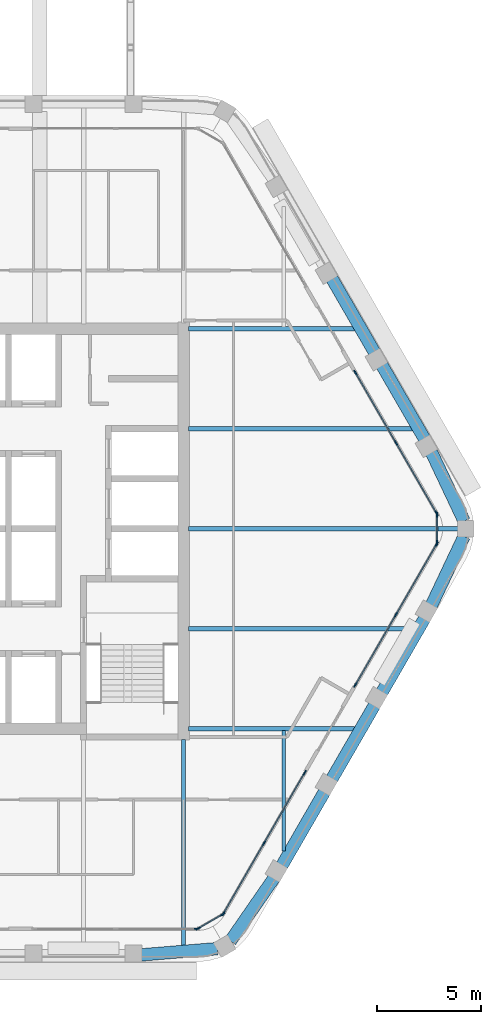
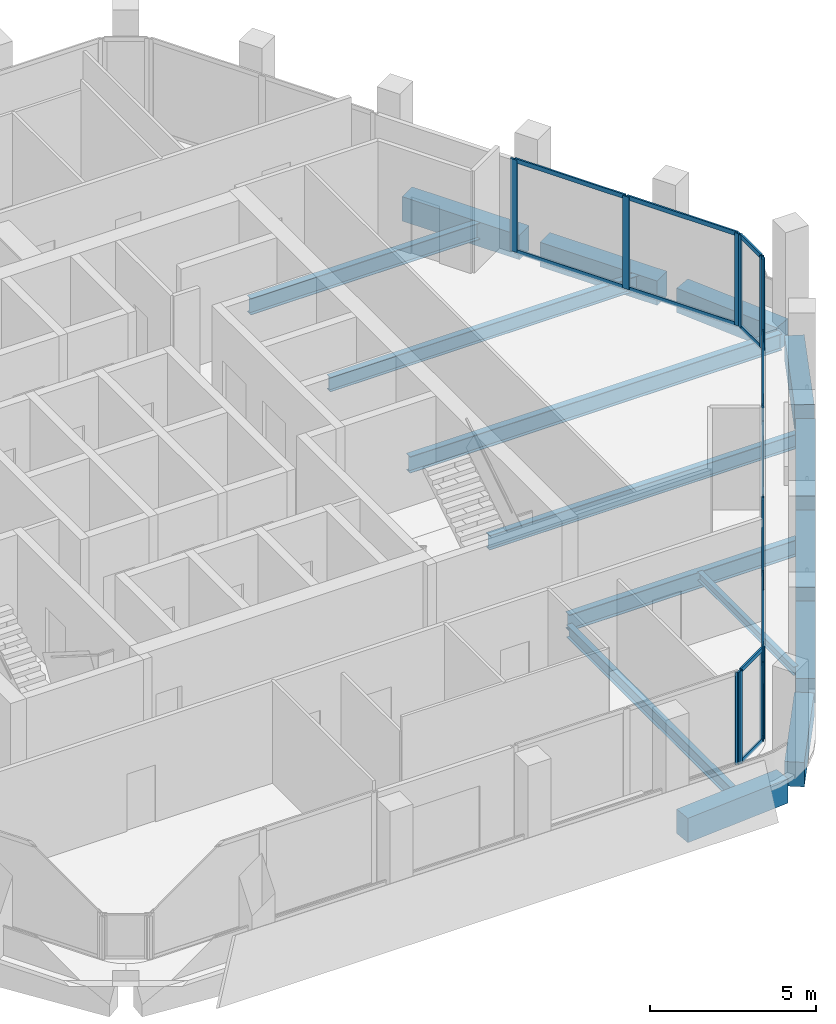
# One storey, part 4 of 14: 30 members, 16 beams, 6 elements without a shape of their own.
"""IFC4 building model written with IfcOpenShell, lengths in metres."""

import ifcopenshell
import ifcopenshell.guid

model = None  # the IFC model being written
_history = None  # IfcOwnerHistory: only IFC2X3 demands one
_inside = {}  # id of a spatial element -> (the spatial element, [elements in it])
_under = {}  # id of a project, library or spatial element -> (it, [spatial elements below it])
_declared = {}  # id of a project -> (the project, [libraries it declares])
_typed = {}  # id of a type object -> (the type object, [elements of that type])
_made_of = {}  # id of a material, layer set ... -> (it, [elements and type objects made of it])


def new_model(schema):
    """Start an empty IFC model of exactly this schema.

    Asked for "IFC4X3", IfcOpenShell would pick the latest addendum, in which some entities
    have other attributes; the version numbers below select the first issue.
    IFC2X3 requires an IfcOwnerHistory on every rooted entity: one is made here for all.
    """
    global model, _history
    if schema == "IFC4X3":
        model = ifcopenshell.file(schema_version=(4, 3, 0, 0))
    else:
        model = ifcopenshell.file(schema=schema)
    _inside.clear()
    _under.clear()
    _declared.clear()
    _typed.clear()
    _made_of.clear()
    _history = None
    if model.schema == "IFC2X3":
        org = make("IfcOrganization", Name="unknown")
        user = make(
            "IfcPersonAndOrganization",
            ThePerson=make("IfcPerson", FamilyName="unknown"),
            TheOrganization=org,
        )
        app = make(
            "IfcApplication",
            ApplicationDeveloper=org,
            Version="unknown",
            ApplicationFullName="unknown",
            ApplicationIdentifier="unknown",
        )
        _history = make(
            "IfcOwnerHistory",
            OwningUser=user,
            OwningApplication=app,
            ChangeAction="ADDED",
            CreationDate=0,
        )
    return model


def make(cls, **values):
    """One entity of the class cls with the attributes given. An attribute that is None is left unset."""
    return model.create_entity(
        cls, **{name: value for name, value in values.items() if value is not None}
    )


def rooted(cls, **values):
    """An entity with a GlobalId (a new one), such as an element, a storey or a relation."""
    return make(cls, GlobalId=ifcopenshell.guid.new(), OwnerHistory=_history, **values)


def si_unit(unit_type, name, prefix=None):
    """IfcSIUnit, for example si_unit("LENGTHUNIT", "METRE", prefix="MILLI")."""
    return make("IfcSIUnit", UnitType=unit_type, Prefix=prefix, Name=name)


def assignment(units):
    """IfcUnitAssignment: the units of a project."""
    return None if units is None else make("IfcUnitAssignment", Units=units)


def point(xyz):
    """IfcCartesianPoint."""
    return None if xyz is None else make("IfcCartesianPoint", Coordinates=xyz)


def direction(xyz):
    """IfcDirection."""
    return None if xyz is None else make("IfcDirection", DirectionRatios=xyz)


def frame(location, z_axis=None, x_axis=None):
    """IfcAxis2Placement3D, a coordinate frame: its origin and axes. An axis left out is left unset."""
    return make(
        "IfcAxis2Placement3D",
        Location=point(location),
        Axis=direction(z_axis),
        RefDirection=direction(x_axis),
    )


def frame_2d(location, x_axis=None):
    """IfcAxis2Placement2D, a coordinate frame in the plane: its origin and x axis."""
    return make(
        "IfcAxis2Placement2D", Location=point(location), RefDirection=direction(x_axis)
    )


def origin():
    """The frame at (0, 0, 0) with its axes left unset."""
    return frame((0.0, 0.0, 0.0))


def origin_2d():
    """The frame at (0, 0) in the plane with its x axis left unset."""
    return frame_2d((0.0, 0.0))


def place(relative_to, where):
    """IfcLocalPlacement: puts the frame where relative to a parent placement (None: the world)."""
    return make(
        "IfcLocalPlacement", PlacementRelTo=relative_to, RelativePlacement=where
    )


def context(
    kind, dimensions, precision=None, world=None, true_north=None, identifier=None
):
    """IfcGeometricRepresentationContext, for example the 3D "Model" context."""
    return make(
        "IfcGeometricRepresentationContext",
        ContextIdentifier=identifier,
        ContextType=kind,
        CoordinateSpaceDimension=dimensions,
        Precision=precision,
        WorldCoordinateSystem=world,
        TrueNorth=true_north,
    )


def subcontext(parent, identifier, kind, view, scale=None):
    """IfcGeometricRepresentationSubContext, for example "Body" below "Model"."""
    return make(
        "IfcGeometricRepresentationSubContext",
        ContextIdentifier=identifier,
        ContextType=kind,
        ParentContext=parent,
        TargetScale=scale,
        TargetView=view,
    )


def project(units=None, contexts=None):
    """IfcProject with its units and contexts."""
    return rooted(
        "IfcProject",
        Name="project",
        RepresentationContexts=contexts,
        UnitsInContext=assignment(units),
    )


def spatial(cls, under=None, at=None, **own):
    """A site, building, storey or space (cls), placed at a placement, below another one or the project."""
    s = rooted(cls, ObjectPlacement=at, **own)
    if under is not None:
        _under.setdefault(under.id(), (under, []))[1].append(s)
    return s


def profile(cls, at=None, kind="AREA", **sizes):
    """A parametric profile (cls). Its sizes go by their IFC names, for example OverallWidth=200.0."""
    return make(cls, ProfileType=kind, Position=at, **sizes)


def rectangle(**sizes):
    """IfcRectangleProfileDef."""
    return profile("IfcRectangleProfileDef", **sizes)


def i_section(**sizes):
    """IfcIShapeProfileDef."""
    return profile("IfcIShapeProfileDef", **sizes)


def extrude(swept, where, along, depth):
    """IfcExtrudedAreaSolid: the profile swept, set in the frame where, extruded along a direction by depth."""
    return make(
        "IfcExtrudedAreaSolid",
        SweptArea=swept,
        Position=where,
        ExtrudedDirection=direction(along),
        Depth=depth,
    )


def shape(context_of_items, identifier, shape_type, items):
    """IfcShapeRepresentation: the items that make up one representation, for example the "Body"."""
    return make(
        "IfcShapeRepresentation",
        ContextOfItems=context_of_items,
        RepresentationIdentifier=identifier,
        RepresentationType=shape_type,
        Items=items,
    )


def material(Name=None, Category=None):
    """IfcMaterial."""
    return make("IfcMaterial", Name=Name, Category=Category)


def material_profile(
    of_material, cross_section, Name=None, Category=None, Priority=None
):
    """IfcMaterialProfile: a cross section and its material."""
    return make(
        "IfcMaterialProfile",
        Name=Name,
        Material=of_material,
        Profile=cross_section,
        Priority=Priority,
        Category=Category,
    )


def profile_set(profiles, Name=None, composite=None):
    """IfcMaterialProfileSet."""
    return make(
        "IfcMaterialProfileSet",
        Name=Name,
        MaterialProfiles=profiles,
        CompositeProfile=composite,
    )


def made_of(thing, what):
    """Note that an element or type object is made of a material, layer set ...; save() writes the relation."""
    if what is not None:
        _made_of.setdefault(what.id(), (what, []))[1].append(thing)
    return thing


def type_object(cls, material=None, **own):
    """A type object (cls), such as IfcWallType, which elements share."""
    return made_of(rooted(cls, **own), material)


def element(
    cls,
    number,
    at=None,
    inside=None,
    cuts=None,
    type_object=None,
    material=None,
    context=None,
    identifier="Body",
    shape_type=None,
    held_by="IfcProductDefinitionShape",
    body=None,
    shapes=None,
    **own,
):
    """One element of the class cls, such as IfcWall. Its Tag is "e" and its number.

    at: its placement. inside: the storey or other place that contains it. cuts: it is an
    opening in that element (IfcRelVoidsElement). A single representation is given by context,
    identifier, shape_type and body (its items); several are given by shapes. held_by: the class
    of the entity that holds the representations. save() writes the other relations.
    """
    e = rooted(cls, Tag="e%d" % number, ObjectPlacement=at, **own)
    if body is not None:
        shapes = [shape(context, identifier, shape_type, body)]
    if shapes is not None:
        e.Representation = make(held_by, Representations=shapes)
    if inside is not None:
        _inside.setdefault(inside.id(), (inside, []))[1].append(e)
    if cuts is not None:
        rooted(
            "IfcRelVoidsElement", RelatingBuildingElement=cuts, RelatedOpeningElement=e
        )
    if type_object is not None:
        _typed.setdefault(type_object.id(), (type_object, []))[1].append(e)
    return made_of(e, material)


def aggregate(whole, parts):
    """IfcRelAggregates: a whole, such as a stair, and the parts it consists of."""
    return rooted("IfcRelAggregates", RelatingObject=whole, RelatedObjects=parts)


def save(model, path):
    """Write the relations noted so far, then the file.

    IfcRelAggregates (storeys below a building ...), IfcRelContainedInSpatialStructure (elements
    in a storey), IfcRelDefinesByType, IfcRelAssociatesMaterial and IfcRelDeclares: one each for
    every whole, place, type object, material and project.
    """
    for whole, parts in _under.values():
        aggregate(whole, parts)
    for where, things in _inside.values():
        rooted(
            "IfcRelContainedInSpatialStructure",
            RelatedElements=things,
            RelatingStructure=where,
        )
    for kind, things in _typed.values():
        rooted("IfcRelDefinesByType", RelatedObjects=things, RelatingType=kind)
    for what, things in _made_of.values():
        rooted("IfcRelAssociatesMaterial", RelatedObjects=things, RelatingMaterial=what)
    for by, libraries in _declared.values():
        rooted("IfcRelDeclares", RelatingContext=by, RelatedDefinitions=libraries)
    model.write(path)


model = new_model("IFC4")

# Units and contexts
model_context = context("Model", 3, precision=1e-05, world=origin(), true_north=direction((0.0, 1.0)))
body_context = subcontext(model_context, "Body", "Model", "MODEL_VIEW")
ifc_project = project(units=[si_unit("LENGTHUNIT", "METRE"), si_unit("AREAUNIT", "SQUARE_METRE"), si_unit("VOLUMEUNIT", "CUBIC_METRE"), si_unit("PLANEANGLEUNIT", "RADIAN"), si_unit("MASSUNIT", "GRAM", prefix="KILO")], contexts=[model_context])

# Site, building, storey
site_placement = place(None, origin())
site = spatial("IfcSite", under=ifc_project, at=site_placement, CompositionType="ELEMENT")
building_placement = place(site_placement, origin())
building = spatial("IfcBuilding", under=site, at=building_placement, Name="Kolab Exchange Tower", CompositionType="ELEMENT")
storey_placement = place(building_placement, frame((0.0, 0.0, 265.699951171875)))
storey = spatial("IfcBuildingStorey", under=building, at=storey_placement, Name="L59", CompositionType="ELEMENT", Elevation=265.699951171875)

# Beams
ifc_material_1 = material(Name="Steel S355", Category="steel")
ifc_material_profile_1 = material_profile(ifc_material_1, i_section(OverallWidth=0.1650390625, OverallDepth=0.31005859375, WebThickness=0.005859375, FlangeThickness=0.009765625, at=origin_2d()), Name="W310X39")
ifc_profile_set_1 = profile_set([ifc_material_profile_1], Name="Steel S355")
beam_type_1 = type_object("IfcBeamType", Name="FLOOR BEAM W310X39", PredefinedType="BEAM", material=ifc_profile_set_1)
beam_1_placement = place(storey_placement, frame((14.39990234375, -15.4677734375, -0.304931640625), z_axis=(0.0, 1.0, 0.0), x_axis=(-1.0, 0.0, 0.0)))
element("IfcBeam", 1, at=beam_1_placement, inside=storey, type_object=beam_type_1, Name="beam/L59/fr/018", PredefinedType="BEAM", context=body_context, shape_type="SweptSolid", body=[
    extrude(i_section(OverallWidth=0.1650390625, OverallDepth=0.31005859375, WebThickness=0.005859375, FlangeThickness=0.009765625, at=origin_2d()), origin(), (0.0, 0.0, 1.0), 5.793701171875),
])
ifc_material_profile_2 = material_profile(ifc_material_1, i_section(OverallWidth=0.18994140625, OverallDepth=0.45703125, WebThickness=0.009033203125, FlangeThickness=0.014404296875, at=origin_2d()), Name="W460X74")
ifc_profile_set_2 = profile_set([ifc_material_profile_2], Name="Steel S355")
beam_type_2 = type_object("IfcBeamType", Name="FLOOR BEAM W460X74", PredefinedType="BEAM", material=ifc_profile_set_2)
beam_2_placement = place(storey_placement, frame((9.60009765625, -20.027099609375, -0.37841796875), z_axis=(0.0, 1.0, 0.0), x_axis=(-1.0, 0.0, 0.0)))
element("IfcBeam", 2, at=beam_2_placement, inside=storey, type_object=beam_type_2, Name="beam/L59/fr/013", PredefinedType="BEAM", context=body_context, shape_type="SweptSolid", body=[
    extrude(i_section(OverallWidth=0.18994140625, OverallDepth=0.45703125, WebThickness=0.009033203125, FlangeThickness=0.014404296875, at=origin_2d()), origin(), (0.0, 0.0, 1.0), 9.9169921875),
])
ifc_material_profile_3 = material_profile(ifc_material_1, i_section(OverallWidth=0.208984375, OverallDepth=0.532958984375, WebThickness=0.01025390625, FlangeThickness=0.015625, at=origin_2d()), Name="W530X92")
ifc_profile_set_3 = profile_set([ifc_material_profile_3], Name="Steel S355")
beam_type_3 = type_object("IfcBeamType", Name="FLOOR BEAM W530X92", PredefinedType="BEAM", material=ifc_profile_set_3)
for number, where, z_axis, x_axis, name in (
    (3, (9.8349609375, -4.800048828125, -0.41650390625), (1.0, 0.0, 0.0), (0.0, 1.0, 0.0), "beam/L59/fr/015"),
    (4, (9.8349609375, 4.800048828125, -0.41650390625), (1.0, 0.0, 0.0), (0.0, 1.0, 0.0), "beam/L59/fr/017"),
):
    element("IfcBeam", number, at=place(storey_placement, frame(where, z_axis=z_axis, x_axis=x_axis)), inside=storey, type_object=beam_type_3, Name=name, PredefinedType="BEAM", context=body_context, shape_type="SweptSolid", body=[
        extrude(i_section(OverallWidth=0.208984375, OverallDepth=0.532958984375, WebThickness=0.01025390625, FlangeThickness=0.015625, at=origin_2d()), origin(), (0.0, 0.0, 1.0), 10.740966796875),
    ])
ifc_material_profile_4 = material_profile(ifc_material_1, i_section(OverallWidth=0.22802734375, OverallDepth=0.60791015625, WebThickness=0.01123046875, FlangeThickness=0.017333984375, at=origin_2d()), Name="W610X113")
ifc_profile_set_4 = profile_set([ifc_material_profile_4], Name="Steel S355")
beam_type_4 = type_object("IfcBeamType", Name="FLOOR BEAM W610X113", PredefinedType="BEAM", material=ifc_profile_set_4)
beam_3_placement = place(storey_placement, frame((9.8349609375, 0.0, -0.453857421875), z_axis=(1.0, 0.0, 0.0), x_axis=(0.0, 1.0, 0.0)))
element("IfcBeam", 5, at=beam_3_placement, inside=storey, type_object=beam_type_4, Name="beam/L59/fr/016", PredefinedType="BEAM", context=body_context, shape_type="SweptSolid", body=[
    extrude(i_section(OverallWidth=0.22802734375, OverallDepth=0.60791015625, WebThickness=0.01123046875, FlangeThickness=0.017333984375, at=origin_2d()), origin(), (0.0, 0.0, 1.0), 12.94091796875),
])
ifc_material_profile_5 = material_profile(ifc_material_1, i_section(OverallWidth=0.22802734375, OverallDepth=0.60791015625, WebThickness=0.01123046875, FlangeThickness=0.017333984375, at=origin_2d()), Name="W610X113")
ifc_profile_set_5 = profile_set([ifc_material_profile_5], Name="Steel S355")
beam_type_5 = type_object("IfcBeamType", Name="FLOOR GIRDER W610X113", PredefinedType="BEAM", material=ifc_profile_set_5)
for number, where, z_axis, x_axis, name in (
    (6, (9.8349609375, -9.60009765625, -0.453857421875), (1.0, 0.0, 0.0), (0.0, 1.0, 0.0), "beam/L59/gd/002"),
    (7, (9.8349609375, 9.60009765625, -0.453857421875), (1.0, 0.0, 0.0), (0.0, 1.0, 0.0), "beam/L59/gd/003"),
):
    element("IfcBeam", number, at=place(storey_placement, frame(where, z_axis=z_axis, x_axis=x_axis)), inside=storey, type_object=beam_type_5, Name=name, PredefinedType="BEAM", context=body_context, shape_type="SweptSolid", body=[
        extrude(i_section(OverallWidth=0.22802734375, OverallDepth=0.60791015625, WebThickness=0.01123046875, FlangeThickness=0.017333984375, at=origin_2d()), origin(), (0.0, 0.0, 1.0), 7.9697265625),
    ])
ifc_material_2 = material(Name="Concrete C50/60", Category="concrete")
ifc_material_profile_6 = material_profile(ifc_material_2, rectangle(XDim=0.60009765625, YDim=0.89990234375, at=origin_2d()), Name="RC600X900")
ifc_profile_set_6 = profile_set([ifc_material_profile_6], Name="Concrete C50/60")
beam_type_6 = type_object("IfcBeamType", Name="SPANDREL BEAM 600X900 C50/60", PredefinedType="BEAM", material=ifc_profile_set_6)
for number, where, z_axis, x_axis, name in (
    (8, (16.72021484375, 12.009033203125, -0.599853515625), (0.500000428765, -0.866025156237, 0.0), (0.866025156237, 0.500000428765, 0.0), "beam/L59/sp/F2-03"),
    (9, (19.1201171875, 7.85205078125, -0.599853515625), (0.500000428765, -0.866025156237, 0.0), (0.866025156237, 0.500000428765, 0.0), "beam/L59/sp/F2-04"),
):
    element("IfcBeam", number, at=place(storey_placement, frame(where, z_axis=z_axis, x_axis=x_axis)), inside=storey, type_object=beam_type_6, Name=name, PredefinedType="BEAM", context=body_context, shape_type="SweptSolid", body=[
        extrude(rectangle(XDim=0.60009765625, YDim=0.89990234375, at=origin_2d()), origin(), (0.0, 0.0, 1.0), 4.080078125),
    ])
for number, where, z_axis, x_axis, name in (
    (10, (21.49462890625, 3.68017578125, -0.599853515625), (0.427677251998, -0.903931506323, 0.0), (0.903931506323, 0.427677251998, 0.0), "beam/L59/sp/F2-05"),
    (11, (23.063720703125, -0.36376953125, -0.599853515625), (-0.427677251998, -0.903931506323, 0.0), (0.903931506323, -0.427677251998, 0.0), "beam/L59/sp/F3-01"),
):
    element("IfcBeam", number, at=place(storey_placement, frame(where, z_axis=z_axis, x_axis=x_axis)), inside=storey, type_object=beam_type_6, Name=name, PredefinedType="BEAM", context=body_context, shape_type="SweptSolid", body=[
        extrude(rectangle(XDim=0.60009765625, YDim=0.89990234375, at=origin_2d()), origin(), (0.0, 0.0, 1.0), 3.6689453125),
    ])
for number, where, z_axis, x_axis, name in (
    (12, (21.16015625, -4.318603515625, -0.599853515625), (-0.500000428765, -0.866025156237, 0.0), (0.866025156237, -0.500000428765, 0.0), "beam/L59/sp/F3-02"),
    (13, (18.76025390625, -8.4755859375, -0.599853515625), (-0.500000428765, -0.866025156237, 0.0), (0.866025156237, -0.500000428765, 0.0), "beam/L59/sp/F3-03"),
):
    element("IfcBeam", number, at=place(storey_placement, frame(where, z_axis=z_axis, x_axis=x_axis)), inside=storey, type_object=beam_type_6, Name=name, PredefinedType="BEAM", context=body_context, shape_type="SweptSolid", body=[
        extrude(rectangle(XDim=0.60009765625, YDim=0.89990234375, at=origin_2d()), origin(), (0.0, 0.0, 1.0), 4.080078125),
    ])
beam_4_placement = place(storey_placement, frame((16.360107421875, -12.632568359375, -0.599853515625), z_axis=(-0.499955548806, -0.866051066172, 0.0), x_axis=(0.866051066172, -0.499955548806, 0.0)))
element("IfcBeam", 14, at=beam_4_placement, inside=storey, type_object=beam_type_6, Name="beam/L59/sp/F3-04", PredefinedType="BEAM", context=body_context, shape_type="SweptSolid", body=[
    extrude(rectangle(XDim=0.60009765625, YDim=0.89990234375, at=origin_2d()), origin(), (0.0, 0.0, 1.0), 4.079833984375),
])
for number, where, z_axis, x_axis, name in (
    (15, (13.9345703125, -16.77490234375, -0.599853515625), (-0.569005808573, -0.822333502789, 0.0), (0.822333502789, -0.569005808573, 0.0), "beam/L59/sp/F3-05"),
    (16, (11.216796875, -20.15576171875, -0.599853515625), (-0.996666751878, -0.081580547323, 0.0), (0.081580547323, -0.996666751878, 0.0), "beam/L59/sp/F4-01"),
):
    element("IfcBeam", number, at=place(storey_placement, frame(where, z_axis=z_axis, x_axis=x_axis)), inside=storey, type_object=beam_type_6, Name=name, PredefinedType="BEAM", context=body_context, shape_type="SweptSolid", body=[
        extrude(rectangle(XDim=0.60009765625, YDim=0.89990234375, at=origin_2d()), origin(), (0.0, 0.0, 1.0), 3.6689453125),
    ])

# Curtain wall, members
ifc_material_3 = material(Name="Aluminium EN AW-6063 T6", Category="aluminium")
curtain_wall_type = type_object("IfcCurtainWallType", Name="UNITISED HIGH ZONE CURTAIN WALL", PredefinedType="NOTDEFINED", material=ifc_material_3)
curtain_wall_1_placement = place(storey_placement, origin())
curtain_wall_1 = element("IfcCurtainWall", 17, at=curtain_wall_1_placement, inside=storey, type_object=curtain_wall_type, Name="cw/L59/F2-2", PredefinedType="NOTDEFINED")
ifc_material_profile_7 = material_profile(ifc_material_3, rectangle(XDim=0.06005859375, YDim=0.239990234375, at=origin_2d()), Name="RECT 60X240")
ifc_profile_set_7 = profile_set([ifc_material_profile_7], Name="Aluminium EN AW-6063 T6")
member_type_1 = type_object("IfcMemberType", Name="UNITISED HIGH ZONE MULLION 60 X 240", PredefinedType="MULLION", material=ifc_profile_set_7)
member_1_placement = place(storey_placement, frame((17.8466796875, 7.497802734375, 0.0), z_axis=(0.0, 0.0, 1.0), x_axis=(0.866025440524, 0.499999936366, 0.0)))
member_1 = element("IfcMember", 18, at=member_1_placement, type_object=member_type_1, Name="CW4 mullion 1", PredefinedType="MULLION", context=body_context, shape_type="SweptSolid", body=[
    extrude(rectangle(XDim=0.06005859375, YDim=0.239990234375, at=origin_2d()), origin(), (0.0, 0.0, 1.0), 3.400146484375),
])
member_2_placement = place(storey_placement, frame((19.798583984375, 4.116943359375, 0.0), z_axis=(0.0, 0.0, 1.0), x_axis=(0.866025440524, 0.499999936366, 0.0)))
member_2 = element("IfcMember", 19, at=member_2_placement, type_object=member_type_1, Name="CW4 mullion 2", PredefinedType="MULLION", context=body_context, shape_type="SweptSolid", body=[
    extrude(rectangle(XDim=0.06005859375, YDim=0.239990234375, at=origin_2d()), origin(), (0.0, 0.0, 1.0), 3.400146484375),
])
member_3_placement = place(storey_placement, frame((21.750732421875, 0.736083984375, 0.0), z_axis=(0.0, 0.0, 1.0), x_axis=(0.866025440524, 0.499999936366, 0.0)))
member_3 = element("IfcMember", 20, at=member_3_placement, type_object=member_type_1, Name="CW4 mullion 3", PredefinedType="MULLION", context=body_context, shape_type="SweptSolid", body=[
    extrude(rectangle(XDim=0.06005859375, YDim=0.239990234375, at=origin_2d()), origin(), (0.0, 0.0, 1.0), 3.400146484375),
])

curtain_wall_2_placement = place(storey_placement, origin())
curtain_wall_2 = element("IfcCurtainWall", 21, at=curtain_wall_2_placement, inside=storey, type_object=curtain_wall_type, Name="cw/L59/F3-1", PredefinedType="NOTDEFINED")
member_4_placement = place(storey_placement, frame((21.750732421875, -0.736083984375, 0.0), z_axis=(0.0, 0.0, 1.0), x_axis=(0.866025440524, -0.499999936366, 0.0)))
member_4 = element("IfcMember", 22, at=member_4_placement, type_object=member_type_1, Name="CW4 mullion 1", PredefinedType="MULLION", context=body_context, shape_type="SweptSolid", body=[
    extrude(rectangle(XDim=0.06005859375, YDim=0.239990234375, at=origin_2d()), origin(), (0.0, 0.0, 1.0), 3.400146484375),
])
member_5_placement = place(storey_placement, frame((19.798583984375, -4.116943359375, 0.0), z_axis=(0.0, 0.0, 1.0), x_axis=(0.866025440524, -0.499999936366, 0.0)))
member_5 = element("IfcMember", 23, at=member_5_placement, type_object=member_type_1, Name="CW4 mullion 2", PredefinedType="MULLION", context=body_context, shape_type="SweptSolid", body=[
    extrude(rectangle(XDim=0.06005859375, YDim=0.239990234375, at=origin_2d()), origin(), (0.0, 0.0, 1.0), 3.400146484375),
])
member_6_placement = place(storey_placement, frame((17.8466796875, -7.497802734375, 0.0), z_axis=(0.0, 0.0, 1.0), x_axis=(0.866025440524, -0.499999936366, 0.0)))
member_6 = element("IfcMember", 24, at=member_6_placement, type_object=member_type_1, Name="CW4 mullion 3", PredefinedType="MULLION", context=body_context, shape_type="SweptSolid", body=[
    extrude(rectangle(XDim=0.06005859375, YDim=0.239990234375, at=origin_2d()), origin(), (0.0, 0.0, 1.0), 3.400146484375),
])

curtain_wall_3_placement = place(storey_placement, origin())
curtain_wall_3 = element("IfcCurtainWall", 25, at=curtain_wall_3_placement, inside=storey, type_object=curtain_wall_type, Name="cw/L59/F3-2", PredefinedType="NOTDEFINED")
member_7_placement = place(storey_placement, frame((15.416748046875, -11.706787109375, 0.0), z_axis=(0.0, 0.0, 1.0), x_axis=(0.866025385493, -0.500000031681, 0.0)))
member_7 = element("IfcMember", 26, at=member_7_placement, type_object=member_type_1, Name="CW4 mullion 1", PredefinedType="MULLION", context=body_context, shape_type="SweptSolid", body=[
    extrude(rectangle(XDim=0.06005859375, YDim=0.239990234375, at=origin_2d()), origin(), (0.0, 0.0, 1.0), 3.400146484375),
])
member_8_placement = place(storey_placement, frame((13.464599609375, -15.087646484375, 0.0), z_axis=(0.0, 0.0, 1.0), x_axis=(0.866025385493, -0.500000031681, 0.0)))
member_8 = element("IfcMember", 27, at=member_8_placement, type_object=member_type_1, Name="CW4 mullion 2", PredefinedType="MULLION", context=body_context, shape_type="SweptSolid", body=[
    extrude(rectangle(XDim=0.06005859375, YDim=0.239990234375, at=origin_2d()), origin(), (0.0, 0.0, 1.0), 3.400146484375),
])
member_9_placement = place(storey_placement, frame((11.5126953125, -18.46875, 0.0), z_axis=(0.0, 0.0, 1.0), x_axis=(0.866025385493, -0.500000031681, 0.0)))
member_9 = element("IfcMember", 28, at=member_9_placement, type_object=member_type_1, Name="CW4 mullion 3", PredefinedType="MULLION", context=body_context, shape_type="SweptSolid", body=[
    extrude(rectangle(XDim=0.06005859375, YDim=0.239990234375, at=origin_2d()), origin(), (0.0, 0.0, 1.0), 3.400146484375),
])

# Curtain wall, member
curtain_wall_4_placement = place(storey_placement, origin())
curtain_wall_4 = element("IfcCurtainWall", 29, at=curtain_wall_4_placement, inside=storey, type_object=curtain_wall_type, Name="cw/L59/F4-1", PredefinedType="NOTDEFINED")
member_10_placement = place(storey_placement, frame((10.238037109375, -19.20458984375, 0.0), z_axis=(0.0, 0.0, 1.0), x_axis=(0.0, -1.0, 0.0)))
member_10 = element("IfcMember", 30, at=member_10_placement, type_object=member_type_1, Name="CW4 mullion 1", PredefinedType="MULLION", context=body_context, shape_type="SweptSolid", body=[
    extrude(rectangle(XDim=0.06005859375, YDim=0.239990234375, at=origin_2d()), origin(), (0.0, 0.0, 1.0), 3.400146484375),
])
aggregate(curtain_wall_4, [member_10])

# Curtain wall, members
curtain_wall_5_placement = place(storey_placement, origin())
curtain_wall_5 = element("IfcCurtainWall", 31, at=curtain_wall_5_placement, inside=storey, type_object=curtain_wall_type, Name="cw/L59/F2F3-corner", PredefinedType="NOTDEFINED")
member_11_placement = place(storey_placement, frame((21.765625, 0.679931640625, 0.0), z_axis=(0.0, 0.0, 1.0), x_axis=(1.0, 0.0, 0.0)))
member_11 = element("IfcMember", 32, at=member_11_placement, type_object=member_type_1, Name="CW4 mullion 1", PredefinedType="MULLION", context=body_context, shape_type="SweptSolid", body=[
    extrude(rectangle(XDim=0.06005859375, YDim=0.239990234375, at=origin_2d()), origin(), (0.0, 0.0, 1.0), 3.400146484375),
])
member_12_placement = place(storey_placement, frame((21.765625, -0.679931640625, 0.0), z_axis=(0.0, 0.0, 1.0), x_axis=(1.0, 0.0, 0.0)))
member_12 = element("IfcMember", 33, at=member_12_placement, type_object=member_type_1, Name="CW4 mullion 2", PredefinedType="MULLION", context=body_context, shape_type="SweptSolid", body=[
    extrude(rectangle(XDim=0.06005859375, YDim=0.239990234375, at=origin_2d()), origin(), (0.0, 0.0, 1.0), 3.400146484375),
])

curtain_wall_6_placement = place(storey_placement, origin())
curtain_wall_6 = element("IfcCurtainWall", 34, at=curtain_wall_6_placement, inside=storey, type_object=curtain_wall_type, Name="cw/L59/F3F4-corner", PredefinedType="NOTDEFINED")
member_13_placement = place(storey_placement, frame((11.4716796875, -18.509521484375, 0.0), z_axis=(0.0, 0.0, 1.0), x_axis=(0.50000002237, -0.866025390869, 0.0)))
member_13 = element("IfcMember", 35, at=member_13_placement, type_object=member_type_1, Name="CW4 mullion 1", PredefinedType="MULLION", context=body_context, shape_type="SweptSolid", body=[
    extrude(rectangle(XDim=0.06005859375, YDim=0.239990234375, at=origin_2d()), origin(), (0.0, 0.0, 1.0), 3.400146484375),
])
member_14_placement = place(storey_placement, frame((10.2939453125, -19.189697265625, 0.0), z_axis=(0.0, 0.0, 1.0), x_axis=(0.50000002237, -0.866025390869, 0.0)))
member_14 = element("IfcMember", 36, at=member_14_placement, type_object=member_type_1, Name="CW4 mullion 2", PredefinedType="MULLION", context=body_context, shape_type="SweptSolid", body=[
    extrude(rectangle(XDim=0.06005859375, YDim=0.239990234375, at=origin_2d()), origin(), (0.0, 0.0, 1.0), 3.400146484375),
])

# Member
ifc_material_profile_8 = material_profile(ifc_material_3, rectangle(XDim=0.06005859375, YDim=0.159912109375, at=origin_2d()), Name="RECT 60X160")
ifc_profile_set_8 = profile_set([ifc_material_profile_8], Name="Aluminium EN AW-6063 T6")
member_type_2 = type_object("IfcMemberType", Name="UNITISED HIGH ZONE TRANSOM 60 X 160", PredefinedType="USERDEFINED", material=ifc_profile_set_8)
member_15_placement = place(storey_placement, frame((17.861572265625, 7.471923828125, 0.030029296875), z_axis=(0.500011990396, -0.866018481016, 0.0), x_axis=(0.866018481016, 0.500011990396, 0.0)))
member_15 = element("IfcMember", 37, at=member_15_placement, type_object=member_type_2, Name="CW4 transom 1.1", ObjectType="TRANSOM", PredefinedType="USERDEFINED", context=body_context, shape_type="SweptSolid", body=[
    extrude(rectangle(XDim=0.06005859375, YDim=0.159912109375, at=origin_2d()), origin(), (0.0, 0.0, 1.0), 3.84423828125),
])

member_16_placement = place(storey_placement, frame((17.861572265625, 7.471923828125, 3.3701171875), z_axis=(0.500011990396, -0.866018481016, 0.0), x_axis=(0.866018481016, 0.500011990396, 0.0)))
member_16 = element("IfcMember", 38, at=member_16_placement, type_object=member_type_2, Name="CW4 transom 1.2", ObjectType="TRANSOM", PredefinedType="USERDEFINED", context=body_context, shape_type="SweptSolid", body=[
    extrude(rectangle(XDim=0.06005859375, YDim=0.159912109375, at=origin_2d()), origin(), (0.0, 0.0, 1.0), 3.84423828125),
])

member_17_placement = place(storey_placement, frame((19.813720703125, 4.0908203125, 0.030029296875), z_axis=(0.499991857942, -0.866030104553, 0.0), x_axis=(0.866030104553, 0.499991857942, 0.0)))
member_17 = element("IfcMember", 39, at=member_17_placement, type_object=member_type_2, Name="CW4 transom 2.1", ObjectType="TRANSOM", PredefinedType="USERDEFINED", context=body_context, shape_type="SweptSolid", body=[
    extrude(rectangle(XDim=0.06005859375, YDim=0.159912109375, at=origin_2d()), origin(), (0.0, 0.0, 1.0), 3.84375),
])

member_18_placement = place(storey_placement, frame((19.813720703125, 4.0908203125, 3.3701171875), z_axis=(0.499991857942, -0.866030104553, 0.0), x_axis=(0.866030104553, 0.499991857942, 0.0)))
member_18 = element("IfcMember", 40, at=member_18_placement, type_object=member_type_2, Name="CW4 transom 2.2", ObjectType="TRANSOM", PredefinedType="USERDEFINED", context=body_context, shape_type="SweptSolid", body=[
    extrude(rectangle(XDim=0.06005859375, YDim=0.159912109375, at=origin_2d()), origin(), (0.0, 0.0, 1.0), 3.84375),
])

aggregate(curtain_wall_1, [member_1, member_2, member_3, member_15, member_16, member_17, member_18])

member_19_placement = place(storey_placement, frame((21.735595703125, -0.761962890625, 0.030029296875), z_axis=(-0.499991857942, -0.866030104553, 0.0), x_axis=(0.866030104553, -0.499991857942, 0.0)))
member_19 = element("IfcMember", 41, at=member_19_placement, type_object=member_type_2, Name="CW4 transom 1.1", ObjectType="TRANSOM", PredefinedType="USERDEFINED", context=body_context, shape_type="SweptSolid", body=[
    extrude(rectangle(XDim=0.06005859375, YDim=0.159912109375, at=origin_2d()), origin(), (0.0, 0.0, 1.0), 3.84375),
])

member_20_placement = place(storey_placement, frame((21.735595703125, -0.761962890625, 3.3701171875), z_axis=(-0.499991857942, -0.866030104553, 0.0), x_axis=(0.866030104553, -0.499991857942, 0.0)))
member_20 = element("IfcMember", 42, at=member_20_placement, type_object=member_type_2, Name="CW4 transom 1.2", ObjectType="TRANSOM", PredefinedType="USERDEFINED", context=body_context, shape_type="SweptSolid", body=[
    extrude(rectangle(XDim=0.06005859375, YDim=0.159912109375, at=origin_2d()), origin(), (0.0, 0.0, 1.0), 3.84375),
])

member_21_placement = place(storey_placement, frame((19.78369140625, -4.142822265625, 0.030029296875), z_axis=(-0.500011990396, -0.866018481016, 0.0), x_axis=(0.866018481016, -0.500011990396, 0.0)))
member_21 = element("IfcMember", 43, at=member_21_placement, type_object=member_type_2, Name="CW4 transom 2.1", ObjectType="TRANSOM", PredefinedType="USERDEFINED", context=body_context, shape_type="SweptSolid", body=[
    extrude(rectangle(XDim=0.06005859375, YDim=0.159912109375, at=origin_2d()), origin(), (0.0, 0.0, 1.0), 3.84423828125),
])

member_22_placement = place(storey_placement, frame((19.78369140625, -4.142822265625, 3.3701171875), z_axis=(-0.500011990396, -0.866018481016, 0.0), x_axis=(0.866018481016, -0.500011990396, 0.0)))
member_22 = element("IfcMember", 44, at=member_22_placement, type_object=member_type_2, Name="CW4 transom 2.2", ObjectType="TRANSOM", PredefinedType="USERDEFINED", context=body_context, shape_type="SweptSolid", body=[
    extrude(rectangle(XDim=0.06005859375, YDim=0.159912109375, at=origin_2d()), origin(), (0.0, 0.0, 1.0), 3.84423828125),
])

aggregate(curtain_wall_2, [member_4, member_5, member_6, member_19, member_20, member_21, member_22])

member_23_placement = place(storey_placement, frame((15.401611328125, -11.732666015625, 0.030029296875), z_axis=(-0.499964356602, -0.866045981532, 0.0), x_axis=(0.866045981532, -0.499964356602, 0.0)))
member_23 = element("IfcMember", 45, at=member_23_placement, type_object=member_type_2, Name="CW4 transom 1.1", ObjectType="TRANSOM", PredefinedType="USERDEFINED", context=body_context, shape_type="SweptSolid", body=[
    extrude(rectangle(XDim=0.06005859375, YDim=0.159912109375, at=origin_2d()), origin(), (0.0, 0.0, 1.0), 3.843994140625),
])

member_24_placement = place(storey_placement, frame((15.401611328125, -11.732666015625, 3.3701171875), z_axis=(-0.499964356602, -0.866045981532, 0.0), x_axis=(0.866045981532, -0.499964356602, 0.0)))
member_24 = element("IfcMember", 46, at=member_24_placement, type_object=member_type_2, Name="CW4 transom 1.2", ObjectType="TRANSOM", PredefinedType="USERDEFINED", context=body_context, shape_type="SweptSolid", body=[
    extrude(rectangle(XDim=0.06005859375, YDim=0.159912109375, at=origin_2d()), origin(), (0.0, 0.0, 1.0), 3.843994140625),
])

member_25_placement = place(storey_placement, frame((13.44970703125, -15.11376953125, 0.030029296875), z_axis=(-0.500039492609, -0.866002601515, 0.0), x_axis=(0.866002601515, -0.500039492609, 0.0)))
member_25 = element("IfcMember", 47, at=member_25_placement, type_object=member_type_2, Name="CW4 transom 2.1", ObjectType="TRANSOM", PredefinedType="USERDEFINED", context=body_context, shape_type="SweptSolid", body=[
    extrude(rectangle(XDim=0.06005859375, YDim=0.159912109375, at=origin_2d()), origin(), (0.0, 0.0, 1.0), 3.843994140625),
])

member_26_placement = place(storey_placement, frame((13.44970703125, -15.11376953125, 3.3701171875), z_axis=(-0.500039492609, -0.866002601515, 0.0), x_axis=(0.866002601515, -0.500039492609, 0.0)))
member_26 = element("IfcMember", 48, at=member_26_placement, type_object=member_type_2, Name="CW4 transom 2.2", ObjectType="TRANSOM", PredefinedType="USERDEFINED", context=body_context, shape_type="SweptSolid", body=[
    extrude(rectangle(XDim=0.06005859375, YDim=0.159912109375, at=origin_2d()), origin(), (0.0, 0.0, 1.0), 3.843994140625),
])

aggregate(curtain_wall_3, [member_7, member_8, member_9, member_23, member_24, member_25, member_26])

member_27_placement = place(storey_placement, frame((21.765625, 0.64990234375, 0.030029296875), z_axis=(0.0, -1.0, 0.0), x_axis=(1.0, 0.0, 0.0)))
member_27 = element("IfcMember", 49, at=member_27_placement, type_object=member_type_2, Name="CW4 transom 1.1", ObjectType="TRANSOM", PredefinedType="USERDEFINED", context=body_context, shape_type="SweptSolid", body=[
    extrude(rectangle(XDim=0.06005859375, YDim=0.159912109375, at=origin_2d()), origin(), (0.0, 0.0, 1.0), 1.2998046875),
])

member_28_placement = place(storey_placement, frame((21.765625, 0.64990234375, 3.3701171875), z_axis=(0.0, -1.0, 0.0), x_axis=(1.0, 0.0, 0.0)))
member_28 = element("IfcMember", 50, at=member_28_placement, type_object=member_type_2, Name="CW4 transom 1.2", ObjectType="TRANSOM", PredefinedType="USERDEFINED", context=body_context, shape_type="SweptSolid", body=[
    extrude(rectangle(XDim=0.06005859375, YDim=0.159912109375, at=origin_2d()), origin(), (0.0, 0.0, 1.0), 1.2998046875),
])

aggregate(curtain_wall_5, [member_11, member_12, member_27, member_28])

member_29_placement = place(storey_placement, frame((11.44580078125, -18.524658203125, 0.030029296875), z_axis=(-0.866085525409, -0.49989585183, 0.0), x_axis=(0.49989585183, -0.866085525409, 0.0)))
member_29 = element("IfcMember", 51, at=member_29_placement, type_object=member_type_2, Name="CW4 transom 1.1", ObjectType="TRANSOM", PredefinedType="USERDEFINED", context=body_context, shape_type="SweptSolid", body=[
    extrude(rectangle(XDim=0.06005859375, YDim=0.159912109375, at=origin_2d()), origin(), (0.0, 0.0, 1.0), 1.300048828125),
])

member_30_placement = place(storey_placement, frame((11.44580078125, -18.524658203125, 3.3701171875), z_axis=(-0.866085525409, -0.49989585183, 0.0), x_axis=(0.49989585183, -0.866085525409, 0.0)))
member_30 = element("IfcMember", 52, at=member_30_placement, type_object=member_type_2, Name="CW4 transom 1.2", ObjectType="TRANSOM", PredefinedType="USERDEFINED", context=body_context, shape_type="SweptSolid", body=[
    extrude(rectangle(XDim=0.06005859375, YDim=0.159912109375, at=origin_2d()), origin(), (0.0, 0.0, 1.0), 1.300048828125),
])

aggregate(curtain_wall_6, [member_13, member_14, member_29, member_30])

save(model, "model.ifc")
